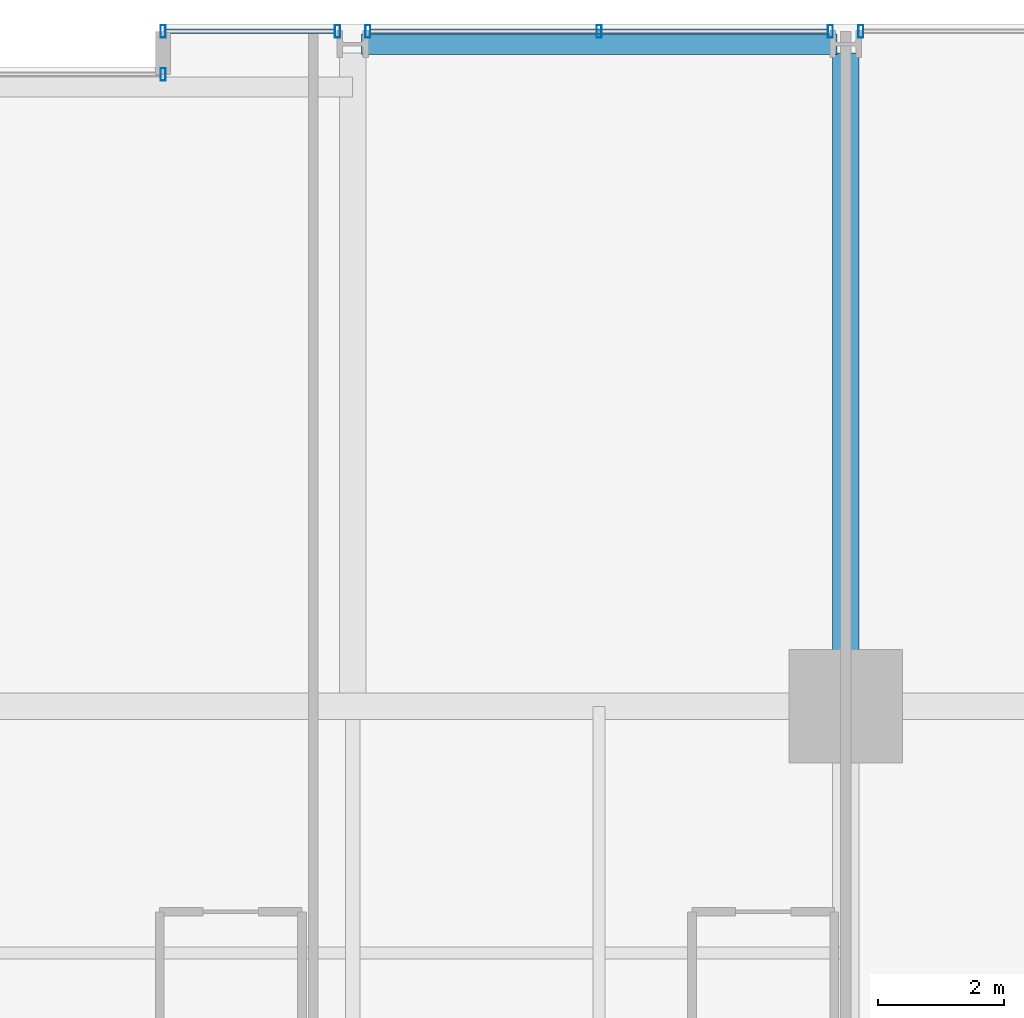
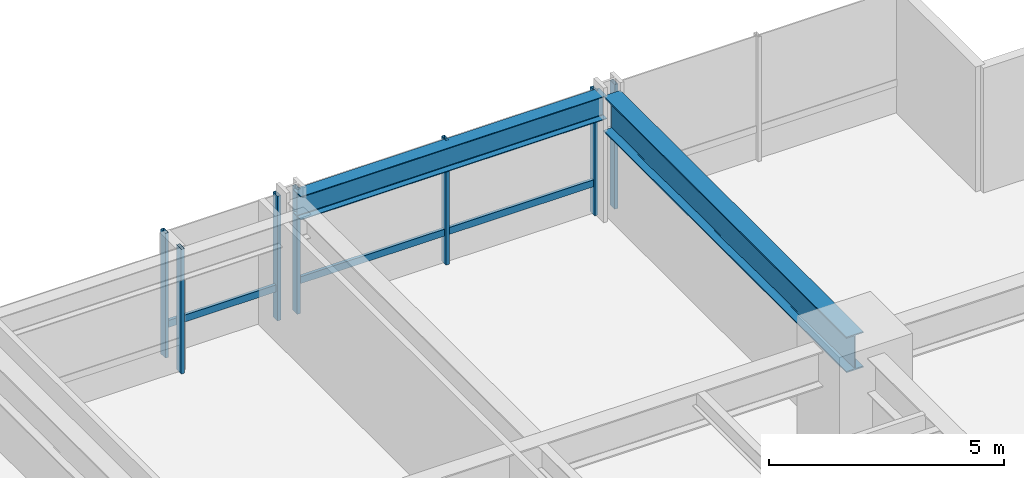
# One storey, part 27 of 38: 9 members, 2 beams, 4 elements without a shape of their own.
"""IFC4 building model written with IfcOpenShell, lengths in metres."""

from ifc_helpers import new_model, si_unit, direction, frame, origin, origin_2d, place, context, subcontext, project, spatial, hollow_rectangle, i_section, extrude, material, layer, layer_set, material_profile, profile_set, type_object, element, aggregate, save


model = new_model("IFC4")

# Units and contexts
model_context = context("Model", 3, precision=1e-05, world=origin(), true_north=direction((0.0, 1.0)))
body_context = subcontext(model_context, "Body", "Model", "MODEL_VIEW")
ifc_project = project(units=[si_unit("LENGTHUNIT", "METRE"), si_unit("AREAUNIT", "SQUARE_METRE"), si_unit("VOLUMEUNIT", "CUBIC_METRE"), si_unit("PLANEANGLEUNIT", "RADIAN"), si_unit("MASSUNIT", "GRAM", prefix="KILO")], contexts=[model_context])

# Site, building, storey
site_placement = place(None, origin())
site = spatial("IfcSite", under=ifc_project, at=site_placement, CompositionType="ELEMENT")
building_placement = place(site_placement, origin())
building = spatial("IfcBuilding", under=site, at=building_placement, Name="Drelvath Grand Hotel", CompositionType="ELEMENT")
storey_placement = place(building_placement, frame((0.0, 0.0, 47.199951171875)))
storey = spatial("IfcBuildingStorey", under=building, at=storey_placement, Name="L10", CompositionType="ELEMENT", Elevation=47.199951171875)

# Curtain wall, member
ifc_material_1 = material(Name="Warm Bronze Anodised Aluminium Frame", Category="aluminium")
ifc_layer = layer(ifc_material_1, 0.199951171875)
ifc_layer_set = layer_set([ifc_layer], Name="Warm Bronze Anodised Aluminium Frame")
curtain_wall_type = type_object("IfcCurtainWallType", Name="Stick Curtain Wall CW-02 Warm Bronze Low-Rise", PredefinedType="NOTDEFINED", material=ifc_layer_set)
curtain_wall_1_placement = place(storey_placement, origin())
curtain_wall_1 = element("IfcCurtainWall", 1, at=curtain_wall_1_placement, inside=storey, type_object=curtain_wall_type, Name="L10 CW-02 Curtain Wall CW02-L10-NE1", PredefinedType="NOTDEFINED")
ifc_material_profile_1 = material_profile(ifc_material_1, hollow_rectangle(XDim=0.074951171875, YDim=0.179931640625, WallThickness=0.0048828125, at=origin_2d()), Name="HSS180X75X5")
ifc_profile_set_1 = profile_set([ifc_material_profile_1], Name="Warm Bronze Anodised Aluminium Frame")
member_type_1 = type_object("IfcMemberType", Name="Curtain Wall Horizontal Transom CW-02 HSS180X75X5", PredefinedType="USERDEFINED", material=ifc_profile_set_1)
member_1_placement = place(storey_placement, frame((5.43994140625, 53.8798828125, 0.81005859375), z_axis=(1.0, 0.0, 0.0), x_axis=(0.0, 1.0, 0.0)))
member_1 = element("IfcMember", 2, at=member_1_placement, type_object=member_type_1, Name="CW02-L10-NE1 Sill Transom", ObjectType="TRANSOM", PredefinedType="USERDEFINED", context=body_context, shape_type="SweptSolid", body=[
    extrude(hollow_rectangle(XDim=0.074951171875, YDim=0.179931640625, WallThickness=0.0048828125, at=origin_2d()), origin(), (0.0, 0.0, 1.0), 2.67919921875),
])

curtain_wall_2_placement = place(storey_placement, origin())
curtain_wall_2 = element("IfcCurtainWall", 3, at=curtain_wall_2_placement, inside=storey, type_object=curtain_wall_type, Name="L10 CW-02 Curtain Wall CW02-L10-NE2", PredefinedType="NOTDEFINED")
member_2_placement = place(storey_placement, frame((8.680908203125, 53.8798828125, 0.81005859375), z_axis=(1.0, 0.0, 0.0), x_axis=(0.0, 1.0, 0.0)))
member_2 = element("IfcMember", 4, at=member_2_placement, type_object=member_type_1, Name="CW02-L10-NE2 Sill Transom", ObjectType="TRANSOM", PredefinedType="USERDEFINED", context=body_context, shape_type="SweptSolid", body=[
    extrude(hollow_rectangle(XDim=0.074951171875, YDim=0.179931640625, WallThickness=0.0048828125, at=origin_2d()), origin(), (0.0, 0.0, 1.0), 7.23828125),
])

curtain_wall_3_placement = place(storey_placement, origin())
curtain_wall_3 = element("IfcCurtainWall", 5, at=curtain_wall_3_placement, inside=storey, type_object=curtain_wall_type, Name="L10 CW-02 Curtain Wall CW02-L10-NM2", PredefinedType="NOTDEFINED")
ifc_material_profile_2 = material_profile(ifc_material_1, hollow_rectangle(XDim=0.080078125, YDim=0.199951171875, WallThickness=0.0048828125, at=origin_2d()), Name="HSS200X80X5")
ifc_profile_set_2 = profile_set([ifc_material_profile_2], Name="Warm Bronze Anodised Aluminium Frame")
member_type_2 = type_object("IfcMemberType", Name="Curtain Wall Vertical Mullion CW-02 HSS200X80X5", PredefinedType="MULLION", material=ifc_profile_set_2)
member_3_placement = place(storey_placement, frame((5.39990234375, 53.199951171875, 0.0), z_axis=(0.0, 0.0, 1.0), x_axis=(1.0, 0.0, 0.0)))
member_3 = element("IfcMember", 6, at=member_3_placement, type_object=member_type_2, Name="CW02-L10-NM2 Mullion 2", PredefinedType="MULLION", context=body_context, shape_type="SweptSolid", body=[
    extrude(hollow_rectangle(XDim=0.080078125, YDim=0.199951171875, WallThickness=0.0048828125, at=origin_2d()), origin(), (0.0, 0.0, 1.0), 3.239990234375),
])
aggregate(curtain_wall_3, [member_3])

# Member
member_4_placement = place(storey_placement, frame((5.39990234375, 53.8798828125, 0.0), z_axis=(0.0, 0.0, 1.0), x_axis=(1.0, 0.0, 0.0)))
member_4 = element("IfcMember", 7, at=member_4_placement, type_object=member_type_2, Name="CW02-L10-NE1 Mullion 1", PredefinedType="MULLION", context=body_context, shape_type="SweptSolid", body=[
    extrude(hollow_rectangle(XDim=0.080078125, YDim=0.199951171875, WallThickness=0.0048828125, at=origin_2d()), origin(), (0.0, 0.0, 1.0), 3.239990234375),
])

member_5_placement = place(storey_placement, frame((8.1591796875, 53.8798828125, 0.0), z_axis=(0.0, 0.0, 1.0), x_axis=(1.0, 0.0, 0.0)))
member_5 = element("IfcMember", 8, at=member_5_placement, type_object=member_type_2, Name="CW02-L10-NE1 Mullion 2", PredefinedType="MULLION", context=body_context, shape_type="SweptSolid", body=[
    extrude(hollow_rectangle(XDim=0.080078125, YDim=0.199951171875, WallThickness=0.0048828125, at=origin_2d()), origin(), (0.0, 0.0, 1.0), 3.239990234375),
])

aggregate(curtain_wall_1, [member_4, member_5, member_1])

member_6_placement = place(storey_placement, frame((8.640869140625, 53.8798828125, 0.0), z_axis=(0.0, 0.0, 1.0), x_axis=(1.0, 0.0, 0.0)))
member_6 = element("IfcMember", 9, at=member_6_placement, type_object=member_type_2, Name="CW02-L10-NE2 Mullion 1", PredefinedType="MULLION", context=body_context, shape_type="SweptSolid", body=[
    extrude(hollow_rectangle(XDim=0.080078125, YDim=0.199951171875, WallThickness=0.0048828125, at=origin_2d()), origin(), (0.0, 0.0, 1.0), 3.239990234375),
])

member_7_placement = place(storey_placement, frame((12.300048828125, 53.8798828125, 0.0), z_axis=(0.0, 0.0, 1.0), x_axis=(1.0, 0.0, 0.0)))
member_7 = element("IfcMember", 10, at=member_7_placement, type_object=member_type_2, Name="CW02-L10-NE2 Mullion 2", PredefinedType="MULLION", context=body_context, shape_type="SweptSolid", body=[
    extrude(hollow_rectangle(XDim=0.080078125, YDim=0.199951171875, WallThickness=0.0048828125, at=origin_2d()), origin(), (0.0, 0.0, 1.0), 3.239990234375),
])

member_8_placement = place(storey_placement, frame((15.958984375, 53.8798828125, 0.0), z_axis=(0.0, 0.0, 1.0), x_axis=(1.0, 0.0, 0.0)))
member_8 = element("IfcMember", 11, at=member_8_placement, type_object=member_type_2, Name="CW02-L10-NE2 Mullion 3", PredefinedType="MULLION", context=body_context, shape_type="SweptSolid", body=[
    extrude(hollow_rectangle(XDim=0.080078125, YDim=0.199951171875, WallThickness=0.0048828125, at=origin_2d()), origin(), (0.0, 0.0, 1.0), 3.239990234375),
])

aggregate(curtain_wall_2, [member_6, member_7, member_8, member_2])

# Curtain wall, member
curtain_wall_4_placement = place(storey_placement, origin())
curtain_wall_4 = element("IfcCurtainWall", 12, at=curtain_wall_4_placement, inside=storey, type_object=curtain_wall_type, Name="L10 CW-02 Curtain Wall CW02-L10-NE3", PredefinedType="NOTDEFINED")
member_9_placement = place(storey_placement, frame((16.44091796875, 53.8798828125, 0.0), z_axis=(0.0, 0.0, 1.0), x_axis=(1.0, 0.0, 0.0)))
member_9 = element("IfcMember", 13, at=member_9_placement, type_object=member_type_2, Name="CW02-L10-NE3 Mullion 1", PredefinedType="MULLION", context=body_context, shape_type="SweptSolid", body=[
    extrude(hollow_rectangle(XDim=0.080078125, YDim=0.199951171875, WallThickness=0.0048828125, at=origin_2d()), origin(), (0.0, 0.0, 1.0), 3.239990234375),
])
aggregate(curtain_wall_4, [member_9])

# Beams
ifc_material_2 = material(Name="Steel ASTM A992 Gr 50", Category="steel")
ifc_material_profile_3 = material_profile(ifc_material_2, i_section(OverallWidth=0.323974609375, OverallDepth=0.611083984375, WebThickness=0.0126953125, FlangeThickness=0.01904296875, FilletRadius=0.02197265625, at=origin_2d()), Name="W24X104")
ifc_profile_set_3 = profile_set([ifc_material_profile_3], Name="Steel ASTM A992 Gr 50")
beam_type_1 = type_object("IfcBeamType", Name="Perimeter Spandrel Beam W24X104", PredefinedType="SPANDREL", material=ifc_profile_set_3)
beam_1_placement = place(storey_placement, frame((8.5400390625, 53.679931640625, 2.9345703125), z_axis=(1.0, 0.0, 0.0), x_axis=(0.0, 1.0, 0.0)))
element("IfcBeam", 14, at=beam_1_placement, inside=storey, type_object=beam_type_1, Name="L10 Spandrel North E", PredefinedType="SPANDREL", context=body_context, shape_type="SweptSolid", body=[
    extrude(i_section(OverallWidth=0.323974609375, OverallDepth=0.611083984375, WebThickness=0.0126953125, FlangeThickness=0.01904296875, FilletRadius=0.02197265625, at=origin_2d()), origin(), (0.0, 0.0, 1.0), 7.52001953125),
])
ifc_material_profile_4 = material_profile(ifc_material_2, i_section(OverallWidth=0.418212890625, OverallDepth=0.926513671875, WebThickness=0.019287109375, FlangeThickness=0.031982421875, FilletRadius=0.028076171875, at=origin_2d()), Name="W36X231")
ifc_profile_set_4 = profile_set([ifc_material_profile_4], Name="Steel ASTM A992 Gr 50")
beam_type_2 = type_object("IfcBeamType", Name="Primary Floor Girder W36X231", PredefinedType="BEAM", material=ifc_profile_set_4)
beam_2_placement = place(storey_placement, frame((16.199951171875, 43.199951171875, 2.77685546875), z_axis=(0.0, 1.0, 0.0), x_axis=(-1.0, 0.0, 0.0)))
element("IfcBeam", 15, at=beam_2_placement, inside=storey, type_object=beam_type_2, Name="L10 North Grid Girder 7", PredefinedType="BEAM", context=body_context, shape_type="SweptSolid", body=[
    extrude(i_section(OverallWidth=0.418212890625, OverallDepth=0.926513671875, WebThickness=0.019287109375, FlangeThickness=0.031982421875, FilletRadius=0.028076171875, at=origin_2d()), origin(), (0.0, 0.0, 1.0), 10.340087890625),
])

save(model, "model.ifc")
